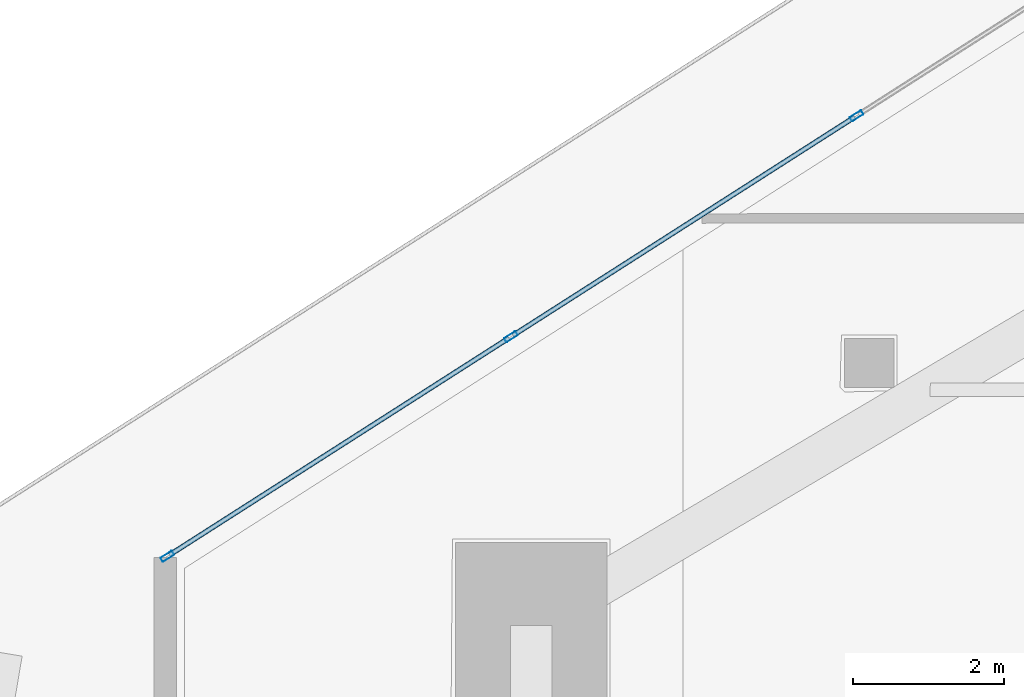
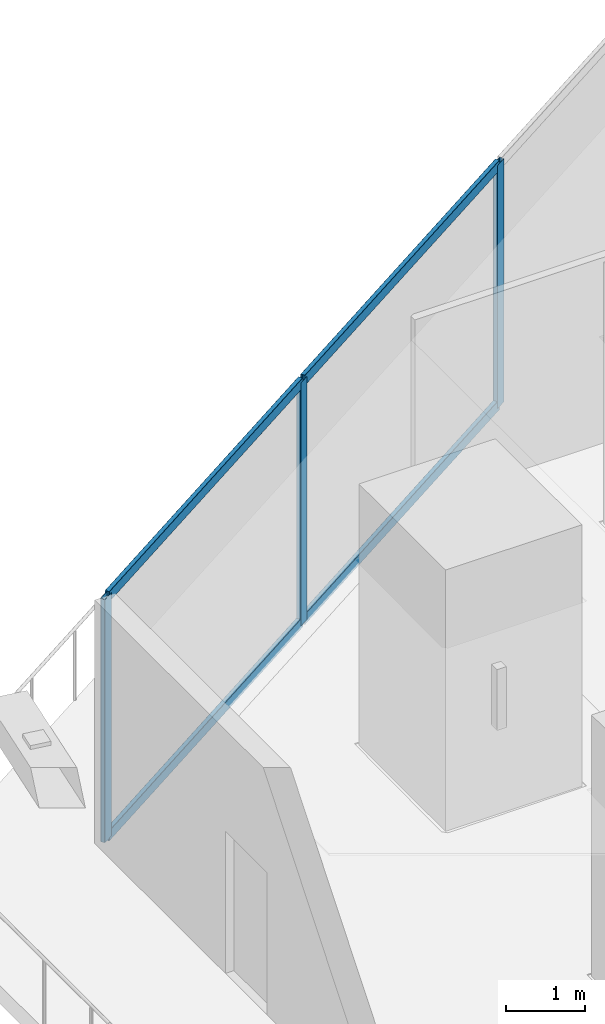
# One storey, part 13 of 42: 7 members, 1 element without a shape of its own.
"""IFC4 building model written with IfcOpenShell, lengths in metres."""

from ifc_helpers import new_model, si_unit, direction, frame, origin, origin_2d, place, context, subcontext, project, spatial, hollow_rectangle, extrude, material, layer, layer_set, material_profile, profile_set, type_object, element, aggregate, save


model = new_model("IFC4")

# Units and contexts
model_context = context("Model", 3, precision=1e-05, world=origin(), true_north=direction((0.0, 1.0)))
body_context = subcontext(model_context, "Body", "Model", "MODEL_VIEW")
ifc_project = project(units=[si_unit("LENGTHUNIT", "METRE"), si_unit("AREAUNIT", "SQUARE_METRE"), si_unit("VOLUMEUNIT", "CUBIC_METRE"), si_unit("PLANEANGLEUNIT", "RADIAN"), si_unit("MASSUNIT", "GRAM", prefix="KILO")], contexts=[model_context])

# Site, building, storey
site_placement = place(None, origin())
site = spatial("IfcSite", under=ifc_project, at=site_placement, CompositionType="ELEMENT")
building_placement = place(site_placement, origin())
building = spatial("IfcBuilding", under=site, at=building_placement, Name="Qorvath Tower", CompositionType="ELEMENT")
storey_placement = place(building_placement, frame((0.0, 0.0, 121.949951171875)))
storey = spatial("IfcBuildingStorey", under=building, at=storey_placement, Name="L27", CompositionType="ELEMENT", Elevation=121.949951171875)

# Curtain wall, members
ifc_material_1 = material(Name="Anodised aluminium and triple low-E glass", Category="aluminium")
ifc_layer = layer(ifc_material_1, 0.179931640625)
ifc_layer_set = layer_set([ifc_layer], Name="CW-SYS-2")
curtain_wall_type = type_object("IfcCurtainWallType", Name="CW-SYS-2", PredefinedType="NOTDEFINED", material=ifc_layer_set)
curtain_wall_placement = place(storey_placement, origin())
curtain_wall = element("IfcCurtainWall", 1, at=curtain_wall_placement, inside=storey, type_object=curtain_wall_type, Name="Curtain Wall CW-2 CW-T-L27-16.3", PredefinedType="NOTDEFINED")
ifc_material_2 = material(Name="Anodised aluminium 6063-T6", Category="aluminium")
ifc_material_profile_1 = material_profile(ifc_material_2, hollow_rectangle(XDim=0.06494140625, YDim=0.179931640625, WallThickness=0.00341796875, InnerFilletRadius=0.00341796875, OuterFilletRadius=0.007080078125, at=origin_2d()), Name="CWM 180x65")
ifc_profile_set_1 = profile_set([ifc_material_profile_1], Name="Anodised aluminium 6063-T6")
member_type_1 = type_object("IfcMemberType", Name="CWM-180", PredefinedType="MULLION", material=ifc_profile_set_1)
member_1_placement = place(storey_placement, frame((-48.7451171875, 9.69287109375, 0.0), z_axis=(0.0, 0.0, 1.0), x_axis=(0.538534177075, -0.842603667285, 0.0)))
member_1 = element("IfcMember", 2, at=member_1_placement, type_object=member_type_1, Name="CW-2 mullion 4", PredefinedType="MULLION", context=body_context, shape_type="SweptSolid", body=[
    extrude(hollow_rectangle(XDim=0.06494140625, YDim=0.179931640625, WallThickness=0.00341796875, InnerFilletRadius=0.00341796875, OuterFilletRadius=0.007080078125, at=origin_2d()), origin(), (0.0, 0.0, 1.0), 3.77001953125),
])
member_2_placement = place(storey_placement, frame((-53.317138671875, 6.770751953125, 0.0), z_axis=(0.0, 0.0, 1.0), x_axis=(0.538534177075, -0.842603667285, 0.0)))
member_2 = element("IfcMember", 3, at=member_2_placement, type_object=member_type_1, Name="CW-2 mullion 5", PredefinedType="MULLION", context=body_context, shape_type="SweptSolid", body=[
    extrude(hollow_rectangle(XDim=0.06494140625, YDim=0.179931640625, WallThickness=0.00341796875, InnerFilletRadius=0.00341796875, OuterFilletRadius=0.007080078125, at=origin_2d()), origin(), (0.0, 0.0, 1.0), 3.77001953125),
])
member_3_placement = place(storey_placement, frame((-57.86181640625, 3.8662109375, 0.0), z_axis=(0.0, 0.0, 1.0), x_axis=(0.538534177075, -0.842603667285, 0.0)))
member_3 = element("IfcMember", 4, at=member_3_placement, type_object=member_type_1, Name="CW-2 mullion 6", PredefinedType="MULLION", context=body_context, shape_type="SweptSolid", body=[
    extrude(hollow_rectangle(XDim=0.06494140625, YDim=0.179931640625, WallThickness=0.00341796875, InnerFilletRadius=0.00341796875, OuterFilletRadius=0.007080078125, at=origin_2d()), origin(), (0.0, 0.0, 1.0), 3.77001953125),
])
ifc_material_3 = material(Name="Anodised aluminium 6063-T6", Category="aluminium")
ifc_material_profile_2 = material_profile(ifc_material_3, hollow_rectangle(XDim=0.06494140625, YDim=0.159912109375, WallThickness=0.00341796875, InnerFilletRadius=0.00341796875, OuterFilletRadius=0.007080078125, at=origin_2d()), Name="CWT 160x65")
ifc_profile_set_2 = profile_set([ifc_material_profile_2], Name="Anodised aluminium 6063-T6")
member_type_2 = type_object("IfcMemberType", Name="CWT-160", PredefinedType="USERDEFINED", material=ifc_profile_set_2)
member_4_placement = place(storey_placement, frame((-48.7724609375, 9.67529296875, 0.032470703125), z_axis=(-0.842621067422, -0.538506951428, 0.0), x_axis=(0.538506951428, -0.842621067422, 0.0)))
member_4 = element("IfcMember", 5, at=member_4_placement, type_object=member_type_2, Name="CW-2 transom 4.1", ObjectType="TRANSOM", PredefinedType="USERDEFINED", context=body_context, shape_type="SweptSolid", body=[
    extrude(hollow_rectangle(XDim=0.06494140625, YDim=0.159912109375, WallThickness=0.00341796875, InnerFilletRadius=0.00341796875, OuterFilletRadius=0.007080078125, at=origin_2d()), origin(), (0.0, 0.0, 1.0), 5.361083984375),
])
member_5_placement = place(storey_placement, frame((-48.7724609375, 9.67529296875, 3.737548828125), z_axis=(-0.842621067422, -0.538506951428, 0.0), x_axis=(0.538506951428, -0.842621067422, 0.0)))
member_5 = element("IfcMember", 6, at=member_5_placement, type_object=member_type_2, Name="CW-2 transom 4.2", ObjectType="TRANSOM", PredefinedType="USERDEFINED", context=body_context, shape_type="SweptSolid", body=[
    extrude(hollow_rectangle(XDim=0.06494140625, YDim=0.159912109375, WallThickness=0.00341796875, InnerFilletRadius=0.00341796875, OuterFilletRadius=0.007080078125, at=origin_2d()), origin(), (0.0, 0.0, 1.0), 5.361083984375),
])
member_6_placement = place(storey_placement, frame((-53.344482421875, 6.753173828125, 0.032470703125), z_axis=(-0.842609059562, -0.538525740095, 0.0), x_axis=(0.538525740095, -0.842609059562, 0.0)))
member_6 = element("IfcMember", 7, at=member_6_placement, type_object=member_type_2, Name="CW-2 transom 5.1", ObjectType="TRANSOM", PredefinedType="USERDEFINED", context=body_context, shape_type="SweptSolid", body=[
    extrude(hollow_rectangle(XDim=0.06494140625, YDim=0.159912109375, WallThickness=0.00341796875, InnerFilletRadius=0.00341796875, OuterFilletRadius=0.007080078125, at=origin_2d()), origin(), (0.0, 0.0, 1.0), 5.32861328125),
])
member_7_placement = place(storey_placement, frame((-53.344482421875, 6.753173828125, 3.737548828125), z_axis=(-0.842609059562, -0.538525740095, 0.0), x_axis=(0.538525740095, -0.842609059562, 0.0)))
member_7 = element("IfcMember", 8, at=member_7_placement, type_object=member_type_2, Name="CW-2 transom 5.2", ObjectType="TRANSOM", PredefinedType="USERDEFINED", context=body_context, shape_type="SweptSolid", body=[
    extrude(hollow_rectangle(XDim=0.06494140625, YDim=0.159912109375, WallThickness=0.00341796875, InnerFilletRadius=0.00341796875, OuterFilletRadius=0.007080078125, at=origin_2d()), origin(), (0.0, 0.0, 1.0), 5.32861328125),
])
aggregate(curtain_wall, [member_1, member_2, member_3, member_4, member_5, member_6, member_7])

save(model, "model.ifc")
